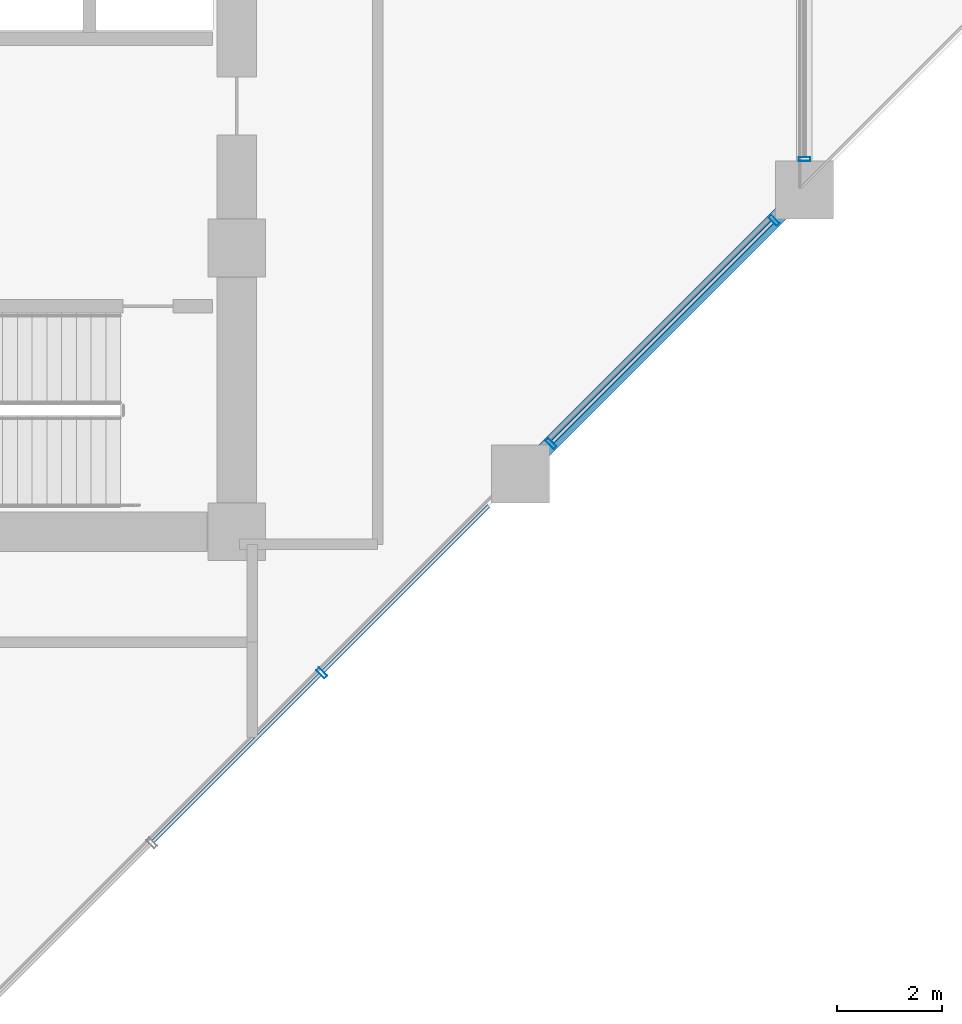
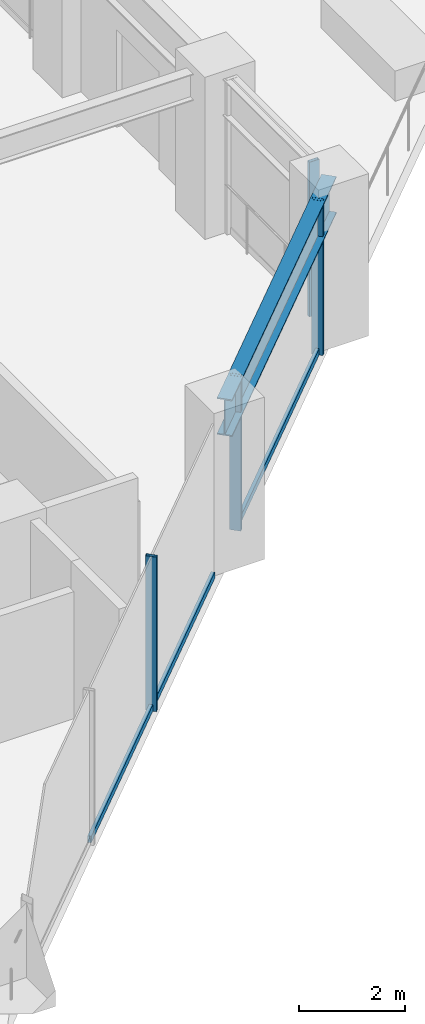
# One storey, part 9 of 30: 7 members, 1 beam, 2 elements without a shape of their own.
"""IFC4 building model written with IfcOpenShell, lengths in metres."""

from ifc_helpers import new_model, si_unit, direction, frame, origin, origin_2d, place, context, subcontext, project, spatial, hollow_rectangle, i_section, extrude, material, layer, layer_set, material_profile, profile_set, type_object, element, aggregate, save


model = new_model("IFC4")

# Units and contexts
model_context = context("Model", 3, precision=1e-05, world=origin(), true_north=direction((0.0, 1.0)))
body_context = subcontext(model_context, "Body", "Model", "MODEL_VIEW")
ifc_project = project(units=[si_unit("LENGTHUNIT", "METRE"), si_unit("AREAUNIT", "SQUARE_METRE"), si_unit("VOLUMEUNIT", "CUBIC_METRE"), si_unit("PLANEANGLEUNIT", "RADIAN"), si_unit("MASSUNIT", "GRAM", prefix="KILO")], contexts=[model_context])

# Site, building, storey
site_placement = place(None, origin())
site = spatial("IfcSite", under=ifc_project, at=site_placement, CompositionType="ELEMENT")
building_placement = place(site_placement, origin())
building = spatial("IfcBuilding", under=site, at=building_placement, Name="Surkhivell Harbour Commons", CompositionType="ELEMENT")
storey_placement = place(building_placement, frame((0.0, 0.0, 83.25)))
storey = spatial("IfcBuildingStorey", under=building, at=storey_placement, Name="L21", CompositionType="ELEMENT", Elevation=83.25)

# Beam
ifc_material_1 = material(Name="Steel S460", Category="steel")
ifc_material_profile_1 = material_profile(ifc_material_1, i_section(OverallWidth=0.2939453125, OverallDepth=0.85107421875, WebThickness=0.01611328125, FlangeThickness=0.02685546875, at=origin_2d()), Name="UB838x292x226")
ifc_profile_set_1 = profile_set([ifc_material_profile_1], Name="Steel S460")
beam_type = type_object("IfcBeamType", Name="BM-SPN-838", PredefinedType="SPANDREL", material=ifc_profile_set_1)
beam_placement = place(storey_placement, frame((16.199951171875, -9.699951171875, 3.14453125), z_axis=(0.707122765516, 0.707090796496, 0.0), x_axis=(-0.707090796496, 0.707122765516, 0.0)))
element("IfcBeam", 1, at=beam_placement, inside=storey, type_object=beam_type, Name="L21 Tube Spandrel (16.2,-9.7)", PredefinedType="SPANDREL", context=body_context, shape_type="SweptSolid", body=[
    extrude(i_section(OverallWidth=0.2939453125, OverallDepth=0.85107421875, WebThickness=0.01611328125, FlangeThickness=0.02685546875, at=origin_2d()), origin(), (0.0, 0.0, 1.0), 7.63671875),
])

# Curtain wall, members
ifc_material_2 = material(Name="Anodised pale-metal aluminium and insulated glazing", Category="aluminium")
ifc_layer = layer(ifc_material_2, 0.205078125)
ifc_layer_set = layer_set([ifc_layer], Name="Anodised pale-metal aluminium and insulated glazing")
curtain_wall_type = type_object("IfcCurtainWallType", Name="CW-SYS-Z2", PredefinedType="NOTDEFINED", material=ifc_layer_set)
curtain_wall_1_placement = place(storey_placement, origin())
curtain_wall_1 = element("IfcCurtainWall", 2, at=curtain_wall_1_placement, inside=storey, type_object=curtain_wall_type, Name="L21 Curtain Wall CW-L21-E01", PredefinedType="NOTDEFINED")
ifc_material_3 = material(Name="Anodised pale-metal aluminium alloy 6063-T6", Category="aluminium")
ifc_material_profile_2 = material_profile(ifc_material_3, hollow_rectangle(XDim=0.074951171875, YDim=0.219970703125, WallThickness=0.00390625, at=origin_2d()), Name="ALU-MULL-75x220")
ifc_profile_set_2 = profile_set([ifc_material_profile_2], Name="Anodised pale-metal aluminium alloy 6063-T6")
member_type_1 = type_object("IfcMemberType", Name="CWM-220", PredefinedType="MULLION", material=ifc_profile_set_2)
member_1_placement = place(storey_placement, frame((12.416015625, -13.48388671875, 0.0), z_axis=(0.0, 0.0, 1.0), x_axis=(0.707106781187, 0.707106781187, 0.0)))
member_1 = element("IfcMember", 3, at=member_1_placement, type_object=member_type_1, Name="CW-Z2 mullion 4", PredefinedType="MULLION", context=body_context, shape_type="SweptSolid", body=[
    extrude(hollow_rectangle(XDim=0.074951171875, YDim=0.219970703125, WallThickness=0.00390625, at=origin_2d()), origin(), (0.0, 0.0, 1.0), 3.570068359375),
])
member_2_placement = place(storey_placement, frame((16.7783203125, -9.121826171875, 0.0), z_axis=(0.0, 0.0, 1.0), x_axis=(0.707106781187, 0.707106781187, 0.0)))
member_2 = element("IfcMember", 4, at=member_2_placement, type_object=member_type_1, Name="CW-Z2 mullion 5", PredefinedType="MULLION", context=body_context, shape_type="SweptSolid", body=[
    extrude(hollow_rectangle(XDim=0.074951171875, YDim=0.219970703125, WallThickness=0.00390625, at=origin_2d()), origin(), (0.0, 0.0, 1.0), 3.570068359375),
])
member_3_placement = place(storey_placement, frame((21.021728515625, -4.878173828125, 0.0), z_axis=(0.0, 0.0, 1.0), x_axis=(0.707106781187, 0.707106781187, 0.0)))
member_3 = element("IfcMember", 5, at=member_3_placement, type_object=member_type_1, Name="CW-Z2 mullion 6", PredefinedType="MULLION", context=body_context, shape_type="SweptSolid", body=[
    extrude(hollow_rectangle(XDim=0.074951171875, YDim=0.219970703125, WallThickness=0.00390625, at=origin_2d()), origin(), (0.0, 0.0, 1.0), 3.570068359375),
])

# Curtain wall, member
curtain_wall_2_placement = place(storey_placement, origin())
curtain_wall_2 = element("IfcCurtainWall", 6, at=curtain_wall_2_placement, inside=storey, type_object=curtain_wall_type, Name="L21 Curtain Wall CW-L21-E02A", PredefinedType="NOTDEFINED")
member_4_placement = place(storey_placement, frame((21.60009765625, -3.71044921875, 0.0), z_axis=(0.0, 0.0, 1.0), x_axis=(0.0, 1.0, 0.0)))
member_4 = element("IfcMember", 7, at=member_4_placement, type_object=member_type_1, Name="CW-Z2 mullion 1", PredefinedType="MULLION", context=body_context, shape_type="SweptSolid", body=[
    extrude(hollow_rectangle(XDim=0.074951171875, YDim=0.219970703125, WallThickness=0.00390625, at=origin_2d()), origin(), (0.0, 0.0, 1.0), 3.570068359375),
])
aggregate(curtain_wall_2, [member_4])

# Member
ifc_material_profile_3 = material_profile(ifc_material_3, hollow_rectangle(XDim=0.074951171875, YDim=0.14990234375, WallThickness=0.00341796875, at=origin_2d()), Name="ALU-TRAN-75x150")
ifc_profile_set_3 = profile_set([ifc_material_profile_3], Name="Anodised pale-metal aluminium alloy 6063-T6")
member_type_2 = type_object("IfcMemberType", Name="CWT-150", PredefinedType="USERDEFINED", material=ifc_profile_set_3)
member_5_placement = place(storey_placement, frame((9.21044921875, -16.689697265625, 0.074951171875), z_axis=(0.707106781187, 0.707106781187, 0.0), x_axis=(-0.707106781187, 0.707106781187, 0.0)))
member_5 = element("IfcMember", 8, at=member_5_placement, type_object=member_type_2, Name="CW-Z2 transom 3.1", ObjectType="TRANSOM", PredefinedType="USERDEFINED", context=body_context, shape_type="SweptSolid", body=[
    extrude(hollow_rectangle(XDim=0.074951171875, YDim=0.14990234375, WallThickness=0.00341796875, at=origin_2d()), origin(), (0.0, 0.0, 1.0), 4.49609375),
])

member_6_placement = place(storey_placement, frame((12.442626953125, -13.457275390625, 0.074951171875), z_axis=(0.707106781187, 0.707106781187, 0.0), x_axis=(-0.707106781187, 0.707106781187, 0.0)))
member_6 = element("IfcMember", 9, at=member_6_placement, type_object=member_type_2, Name="CW-Z2 transom 4.1", ObjectType="TRANSOM", PredefinedType="USERDEFINED", context=body_context, shape_type="SweptSolid", body=[
    extrude(hollow_rectangle(XDim=0.074951171875, YDim=0.14990234375, WallThickness=0.00341796875, at=origin_2d()), origin(), (0.0, 0.0, 1.0), 4.45849609375),
])

member_7_placement = place(storey_placement, frame((16.8046875, -9.09521484375, 0.074951171875), z_axis=(0.707127378829, 0.707086182944, 0.0), x_axis=(-0.707086182944, 0.707127378829, 0.0)))
member_7 = element("IfcMember", 10, at=member_7_placement, type_object=member_type_2, Name="CW-Z2 transom 5.1", ObjectType="TRANSOM", PredefinedType="USERDEFINED", context=body_context, shape_type="SweptSolid", body=[
    extrude(hollow_rectangle(XDim=0.074951171875, YDim=0.14990234375, WallThickness=0.00341796875, at=origin_2d()), origin(), (0.0, 0.0, 1.0), 5.92626953125),
])

aggregate(curtain_wall_1, [member_1, member_5, member_6, member_2, member_3, member_7])

save(model, "model.ifc")
